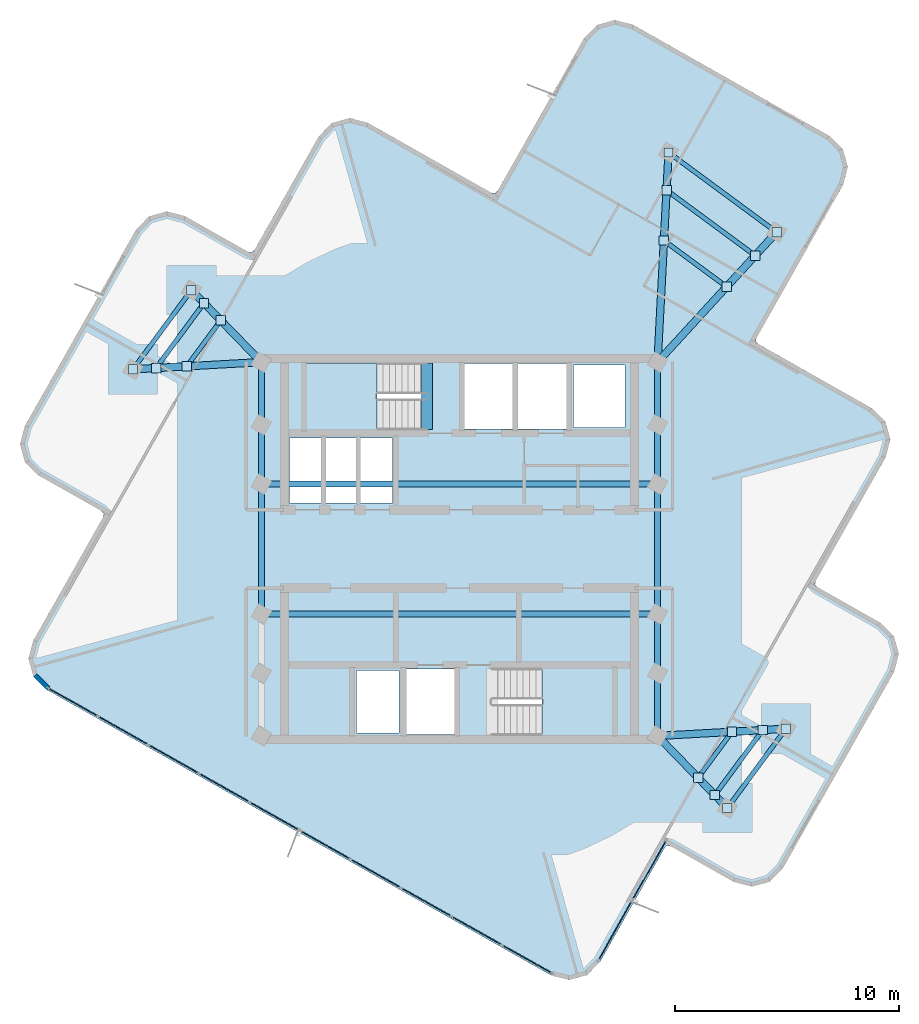
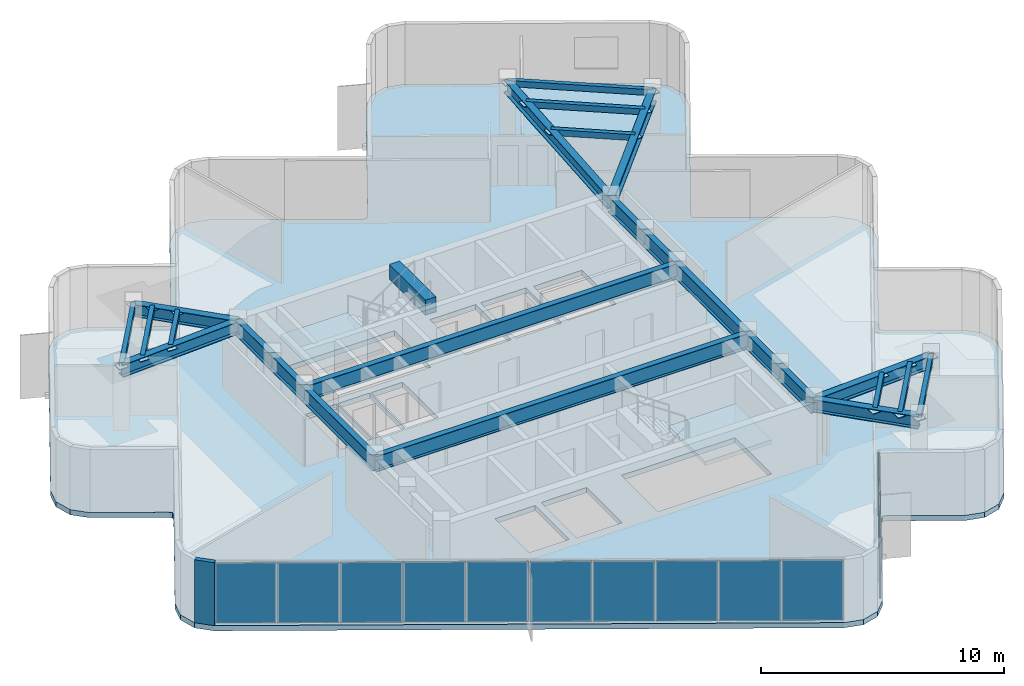
# One storey, part 3 of 9: 30 plates, 26 beams, 3 slabs, 1 wall, 4 elements without a shape of their own.
"""IFC4 building model written with IfcOpenShell, lengths in metres."""

from ifc_helpers import new_model, si_unit, direction, frame, frame_2d, origin, origin_2d, place, context, subcontext, project, spatial, polyline, rectangle, hollow_rectangle, i_section, outline, extrude, material, layer, layer_set, material_profile, profile_set, type_object, element, aggregate, save


model = new_model("IFC4")

# Units and contexts
model_context = context("Model", 3, precision=1e-05, world=origin(), true_north=direction((0.0, 1.0)))
body_context = subcontext(model_context, "Body", "Model", "MODEL_VIEW")
ifc_project = project(units=[si_unit("LENGTHUNIT", "METRE"), si_unit("AREAUNIT", "SQUARE_METRE"), si_unit("VOLUMEUNIT", "CUBIC_METRE"), si_unit("PLANEANGLEUNIT", "RADIAN"), si_unit("MASSUNIT", "GRAM", prefix="KILO")], contexts=[model_context])

# Site, building, storey
site_placement = place(None, origin())
site = spatial("IfcSite", under=ifc_project, at=site_placement, CompositionType="ELEMENT")
building_placement = place(site_placement, origin())
building = spatial("IfcBuilding", under=site, at=building_placement, Name="Solmarez Civic Tower", CompositionType="ELEMENT")
storey_placement = place(building_placement, frame((0.0, 0.0, 278.280029296875)))
storey = spatial("IfcBuildingStorey", under=building, at=storey_placement, Name="L75", CompositionType="ELEMENT", Elevation=278.280029296875)

# Beams
ifc_material_1 = material(Name="Steel S355", Category="steel")
ifc_material_profile_1 = material_profile(ifc_material_1, hollow_rectangle(XDim=0.199951171875, YDim=0.300048828125, WallThickness=0.011962890625, at=origin_2d()), Name="HSS300X200X12")
ifc_profile_set_1 = profile_set([ifc_material_profile_1], Name="Steel S355")
beam_type_1 = type_object("IfcBeamType", Name="BM-JS-HSS300X200", PredefinedType="JOIST", material=ifc_profile_set_1)
beam_1_placement = place(storey_placement, frame((14.1689453125, 14.152099609375, 3.010009765625), z_axis=(-0.804687480311, 0.593698626434, 0.0), x_axis=(-0.593698626434, -0.804687480311, 0.0)))
element("IfcBeam", 1, at=beam_1_placement, inside=storey, type_object=beam_type_1, Name="L75 Secondary Floor Joist BM-L75-EA-T1", PredefinedType="JOIST", context=body_context, shape_type="SweptSolid", body=[
    extrude(hollow_rectangle(XDim=0.199951171875, YDim=0.300048828125, WallThickness=0.011962890625, at=origin_2d()), origin(), (0.0, 0.0, 1.0), 5.999755859375),
])
beam_2_placement = place(storey_placement, frame((11.93505859375, 11.715087890625, 3.010009765625), z_axis=(-0.8046818189, 0.593706299724, 0.0), x_axis=(-0.593706299724, -0.8046818189, 0.0)))
element("IfcBeam", 2, at=beam_2_placement, inside=storey, type_object=beam_type_1, Name="L75 Secondary Floor Joist JS-L75-EA-M11", PredefinedType="JOIST", context=body_context, shape_type="SweptSolid", body=[
    extrude(hollow_rectangle(XDim=0.199951171875, YDim=0.300048828125, WallThickness=0.011962890625, at=origin_2d()), origin(), (0.0, 0.0, 1.0), 3.479736328125),
])
beam_3_placement = place(storey_placement, frame((13.2119140625, 13.10791015625, 3.010009765625), z_axis=(-0.804762606031, 0.593596789019, 0.0), x_axis=(-0.593596789019, -0.804762606031, 0.0)))
element("IfcBeam", 3, at=beam_3_placement, inside=storey, type_object=beam_type_1, Name="L75 Secondary Floor Joist JS-L75-EA-M12", PredefinedType="JOIST", context=body_context, shape_type="SweptSolid", body=[
    extrude(hollow_rectangle(XDim=0.199951171875, YDim=0.300048828125, WallThickness=0.011962890625, at=origin_2d()), origin(), (0.0, 0.0, 1.0), 4.91943359375),
])
beam_4_placement = place(storey_placement, frame((-11.970947265625, 11.56591796875, 3.010009765625), z_axis=(-0.593730834471, -0.804663716219, 0.0), x_axis=(0.804663716219, -0.593730834471, 0.0)))
element("IfcBeam", 4, at=beam_4_placement, inside=storey, type_object=beam_type_1, Name="L75 Secondary Floor Joist BM-L75-NA-T1", PredefinedType="JOIST", context=body_context, shape_type="SweptSolid", body=[
    extrude(hollow_rectangle(XDim=0.199951171875, YDim=0.300048828125, WallThickness=0.011962890625, at=origin_2d()), origin(), (0.0, 0.0, 1.0), 4.3994140625),
])
beam_5_placement = place(storey_placement, frame((-10.659912109375, 10.215087890625, 3.010009765625), z_axis=(-0.593812477683, -0.804603468392, 0.0), x_axis=(0.804603468392, -0.593812477683, 0.0)))
element("IfcBeam", 5, at=beam_5_placement, inside=storey, type_object=beam_type_1, Name="L75 Secondary Floor Joist JS-L75-NA-M11", PredefinedType="JOIST", context=body_context, shape_type="SweptSolid", body=[
    extrude(hollow_rectangle(XDim=0.199951171875, YDim=0.300048828125, WallThickness=0.011962890625, at=origin_2d()), origin(), (0.0, 0.0, 1.0), 2.551513671875),
])
beam_6_placement = place(storey_placement, frame((-11.408935546875, 10.987060546875, 3.010009765625), z_axis=(-0.593734433343, -0.804661060735, 0.0), x_axis=(0.804661060735, -0.593734433343, 0.0)))
element("IfcBeam", 6, at=beam_6_placement, inside=storey, type_object=beam_type_1, Name="L75 Secondary Floor Joist JS-L75-NA-M12", PredefinedType="JOIST", context=body_context, shape_type="SweptSolid", body=[
    extrude(hollow_rectangle(XDim=0.199951171875, YDim=0.300048828125, WallThickness=0.011962890625, at=origin_2d()), origin(), (0.0, 0.0, 1.0), 3.60791015625),
])
beam_7_placement = place(storey_placement, frame((11.970947265625, -11.56591796875, 3.010009765625), z_axis=(0.593730834471, 0.804663716219, 0.0), x_axis=(-0.804663716219, 0.593730834471, 0.0)))
element("IfcBeam", 7, at=beam_7_placement, inside=storey, type_object=beam_type_1, Name="L75 Secondary Floor Joist BM-L75-SA-T1", PredefinedType="JOIST", context=body_context, shape_type="SweptSolid", body=[
    extrude(hollow_rectangle(XDim=0.199951171875, YDim=0.300048828125, WallThickness=0.011962890625, at=origin_2d()), origin(), (0.0, 0.0, 1.0), 4.3994140625),
])
beam_8_placement = place(storey_placement, frame((10.659912109375, -10.215087890625, 3.010009765625), z_axis=(0.593812477683, 0.804603468392, 0.0), x_axis=(-0.804603468392, 0.593812477683, 0.0)))
element("IfcBeam", 8, at=beam_8_placement, inside=storey, type_object=beam_type_1, Name="L75 Secondary Floor Joist JS-L75-SA-M11", PredefinedType="JOIST", context=body_context, shape_type="SweptSolid", body=[
    extrude(hollow_rectangle(XDim=0.199951171875, YDim=0.300048828125, WallThickness=0.011962890625, at=origin_2d()), origin(), (0.0, 0.0, 1.0), 2.551513671875),
])
beam_9_placement = place(storey_placement, frame((11.408935546875, -10.987060546875, 3.010009765625), z_axis=(0.593734433343, 0.804661060735, 0.0), x_axis=(-0.804661060735, 0.593734433343, 0.0)))
element("IfcBeam", 9, at=beam_9_placement, inside=storey, type_object=beam_type_1, Name="L75 Secondary Floor Joist JS-L75-SA-M12", PredefinedType="JOIST", context=body_context, shape_type="SweptSolid", body=[
    extrude(hollow_rectangle(XDim=0.199951171875, YDim=0.300048828125, WallThickness=0.011962890625, at=origin_2d()), origin(), (0.0, 0.0, 1.0), 3.60791015625),
])
ifc_material_2 = material(Name="Concrete C50/60", Category="concrete")
ifc_material_profile_2 = material_profile(ifc_material_2, rectangle(XDim=0.5, YDim=0.75, at=origin_2d()), Name="RC500X750")
ifc_profile_set_2 = profile_set([ifc_material_profile_2], Name="Concrete C50/60")
beam_type_2 = type_object("IfcBeamType", Name="BM-PR-RC500X750", PredefinedType="BEAM", material=ifc_profile_set_2)
beam_10_placement = place(storey_placement, frame((-1.449951171875, 5.340087890625, 3.052978515625), z_axis=(0.0, 1.0, 0.0), x_axis=(-1.0, 0.0, 0.0)))
element("IfcBeam", 10, at=beam_10_placement, inside=storey, type_object=beam_type_2, Name="L75 North Stair Threshold Beam", PredefinedType="BEAM", context=body_context, shape_type="SweptSolid", body=[
    extrude(rectangle(XDim=0.5, YDim=0.75, at=origin_2d()), origin(), (0.0, 0.0, 1.0), 2.9599609375),
])
ifc_material_profile_3 = material_profile(ifc_material_1, i_section(OverallWidth=0.327880859375, OverallDepth=0.6220703125, WebThickness=0.015380859375, FlangeThickness=0.0244140625, at=origin_2d()), Name="W24X131")
ifc_profile_set_3 = profile_set([ifc_material_profile_3], Name="Steel S355")
beam_type_3 = type_object("IfcBeamType", Name="BM-PR-W24X131", PredefinedType="BEAM", material=ifc_profile_set_3)
beam_11_placement = place(storey_placement, frame((8.85009765625, 8.35009765625, 2.848876953125), z_axis=(0.67574850583, 0.737132251953, 0.0), x_axis=(-0.737132251953, 0.67574850583, 0.0)))
element("IfcBeam", 11, at=beam_11_placement, inside=storey, type_object=beam_type_3, Name="L75 Primary Floor Beam BM-L75-EA-R1A", PredefinedType="BEAM", context=body_context, shape_type="SweptSolid", body=[
    extrude(i_section(OverallWidth=0.327880859375, OverallDepth=0.6220703125, WebThickness=0.015380859375, FlangeThickness=0.0244140625, at=origin_2d()), origin(), (0.0, 0.0, 1.0), 7.87109375),
])
beam_12_placement = place(storey_placement, frame((8.85009765625, 8.35009765625, 2.848876953125), z_axis=(0.052359315135, 0.998628310293, 0.0), x_axis=(-0.998628310293, 0.052359315135, 0.0)))
element("IfcBeam", 12, at=beam_12_placement, inside=storey, type_object=beam_type_3, Name="L75 Primary Floor Beam BM-L75-EA-R1B", PredefinedType="BEAM", context=body_context, shape_type="SweptSolid", body=[
    extrude(i_section(OverallWidth=0.327880859375, OverallDepth=0.6220703125, WebThickness=0.015380859375, FlangeThickness=0.0244140625, at=origin_2d()), origin(), (0.0, 0.0, 1.0), 9.376953125),
])
beam_13_placement = place(storey_placement, frame((-8.85009765625, 8.35009765625, 2.848876953125), z_axis=(-0.696430820305, 0.717623935309, 0.0), x_axis=(-0.717623935309, -0.696430820305, 0.0)))
element("IfcBeam", 13, at=beam_13_placement, inside=storey, type_object=beam_type_3, Name="L75 Primary Floor Beam BM-L75-NA-R1A", PredefinedType="BEAM", context=body_context, shape_type="SweptSolid", body=[
    extrude(i_section(OverallWidth=0.327880859375, OverallDepth=0.6220703125, WebThickness=0.015380859375, FlangeThickness=0.0244140625, at=origin_2d()), origin(), (0.0, 0.0, 1.0), 4.481201171875),
])
beam_14_placement = place(storey_placement, frame((-8.85009765625, 8.35009765625, 2.848876953125), z_axis=(-0.998404650863, -0.056463732917, 0.0), x_axis=(0.056463732917, -0.998404650863, 0.0)))
element("IfcBeam", 14, at=beam_14_placement, inside=storey, type_object=beam_type_3, Name="L75 Primary Floor Beam BM-L75-NA-R1B", PredefinedType="BEAM", context=body_context, shape_type="SweptSolid", body=[
    extrude(i_section(OverallWidth=0.327880859375, OverallDepth=0.6220703125, WebThickness=0.015380859375, FlangeThickness=0.0244140625, at=origin_2d()), origin(), (0.0, 0.0, 1.0), 5.7421875),
])
beam_15_placement = place(storey_placement, frame((8.85009765625, -8.35009765625, 2.848876953125), z_axis=(0.696430820305, -0.717623935309, 0.0), x_axis=(0.717623935309, 0.696430820305, 0.0)))
element("IfcBeam", 15, at=beam_15_placement, inside=storey, type_object=beam_type_3, Name="L75 Primary Floor Beam BM-L75-SA-R1A", PredefinedType="BEAM", context=body_context, shape_type="SweptSolid", body=[
    extrude(i_section(OverallWidth=0.327880859375, OverallDepth=0.6220703125, WebThickness=0.015380859375, FlangeThickness=0.0244140625, at=origin_2d()), origin(), (0.0, 0.0, 1.0), 4.481201171875),
])
beam_16_placement = place(storey_placement, frame((8.85009765625, -8.35009765625, 2.848876953125), z_axis=(0.998404650863, 0.056463732917, 0.0), x_axis=(-0.056463732917, 0.998404650863, 0.0)))
element("IfcBeam", 16, at=beam_16_placement, inside=storey, type_object=beam_type_3, Name="L75 Primary Floor Beam BM-L75-SA-R1B", PredefinedType="BEAM", context=body_context, shape_type="SweptSolid", body=[
    extrude(i_section(OverallWidth=0.327880859375, OverallDepth=0.6220703125, WebThickness=0.015380859375, FlangeThickness=0.0244140625, at=origin_2d()), origin(), (0.0, 0.0, 1.0), 5.7421875),
])
ifc_material_profile_4 = material_profile(ifc_material_1, i_section(OverallWidth=0.26708984375, OverallDepth=0.761962890625, WebThickness=0.014404296875, FlangeThickness=0.021484375, at=origin_2d()), Name="W30X116")
ifc_profile_set_4 = profile_set([ifc_material_profile_4], Name="Steel S355")
beam_type_4 = type_object("IfcBeamType", Name="BM-PR-W30X116", PredefinedType="BEAM", material=ifc_profile_set_4)
beam_17_placement = place(storey_placement, frame((-8.85009765625, -2.89990234375, 2.779052734375), z_axis=(0.0, 1.0, 0.0), x_axis=(-1.0, 0.0, 0.0)))
element("IfcBeam", 17, at=beam_17_placement, inside=storey, type_object=beam_type_4, Name="L75 Primary Floor Beam BM-L75-HC2-HC3", PredefinedType="BEAM", context=body_context, shape_type="SweptSolid", body=[
    extrude(i_section(OverallWidth=0.26708984375, OverallDepth=0.761962890625, WebThickness=0.014404296875, FlangeThickness=0.021484375, at=origin_2d()), origin(), (0.0, 0.0, 1.0), 5.7998046875),
])
beam_18_placement = place(storey_placement, frame((-8.85009765625, 2.89990234375, 2.779052734375), z_axis=(0.0, 1.0, 0.0), x_axis=(-1.0, 0.0, 0.0)))
element("IfcBeam", 18, at=beam_18_placement, inside=storey, type_object=beam_type_4, Name="L75 Primary Floor Beam BM-L75-HC3-HC4", PredefinedType="BEAM", context=body_context, shape_type="SweptSolid", body=[
    extrude(i_section(OverallWidth=0.26708984375, OverallDepth=0.761962890625, WebThickness=0.014404296875, FlangeThickness=0.021484375, at=origin_2d()), origin(), (0.0, 0.0, 1.0), 2.650146484375),
])
for number, where, z_axis, x_axis, name in (
    (19, (-8.85009765625, 5.550048828125, 2.779052734375), (0.0, 1.0, 0.0), (-1.0, 0.0, 0.0), "L75 Primary Floor Beam BM-L75-HC4-HC9"),
    (20, (8.85009765625, -8.35009765625, 2.779052734375), (0.0, 1.0, 0.0), (-1.0, 0.0, 0.0), "L75 Primary Floor Beam BM-L75-HC10-HC5"),
):
    element("IfcBeam", number, at=place(storey_placement, frame(where, z_axis=z_axis, x_axis=x_axis)), inside=storey, type_object=beam_type_4, Name=name, PredefinedType="BEAM", context=body_context, shape_type="SweptSolid", body=[
        extrude(i_section(OverallWidth=0.26708984375, OverallDepth=0.761962890625, WebThickness=0.014404296875, FlangeThickness=0.021484375, at=origin_2d()), origin(), (0.0, 0.0, 1.0), 2.800048828125),
    ])
beam_19_placement = place(storey_placement, frame((8.85009765625, -5.550048828125, 2.779052734375), z_axis=(0.0, 1.0, 0.0), x_axis=(-1.0, 0.0, 0.0)))
element("IfcBeam", 21, at=beam_19_placement, inside=storey, type_object=beam_type_4, Name="L75 Primary Floor Beam BM-L75-HC5-HC6", PredefinedType="BEAM", context=body_context, shape_type="SweptSolid", body=[
    extrude(i_section(OverallWidth=0.26708984375, OverallDepth=0.761962890625, WebThickness=0.014404296875, FlangeThickness=0.021484375, at=origin_2d()), origin(), (0.0, 0.0, 1.0), 2.650146484375),
])
beam_20_placement = place(storey_placement, frame((8.85009765625, -2.89990234375, 2.779052734375), z_axis=(0.0, 1.0, 0.0), x_axis=(-1.0, 0.0, 0.0)))
element("IfcBeam", 22, at=beam_20_placement, inside=storey, type_object=beam_type_4, Name="L75 Primary Floor Beam BM-L75-HC6-HC7", PredefinedType="BEAM", context=body_context, shape_type="SweptSolid", body=[
    extrude(i_section(OverallWidth=0.26708984375, OverallDepth=0.761962890625, WebThickness=0.014404296875, FlangeThickness=0.021484375, at=origin_2d()), origin(), (0.0, 0.0, 1.0), 5.7998046875),
])
beam_21_placement = place(storey_placement, frame((8.85009765625, 2.89990234375, 2.779052734375), z_axis=(0.0, 1.0, 0.0), x_axis=(-1.0, 0.0, 0.0)))
element("IfcBeam", 23, at=beam_21_placement, inside=storey, type_object=beam_type_4, Name="L75 Primary Floor Beam BM-L75-HC7-HC8", PredefinedType="BEAM", context=body_context, shape_type="SweptSolid", body=[
    extrude(i_section(OverallWidth=0.26708984375, OverallDepth=0.761962890625, WebThickness=0.014404296875, FlangeThickness=0.021484375, at=origin_2d()), origin(), (0.0, 0.0, 1.0), 2.650146484375),
])
beam_22_placement = place(storey_placement, frame((8.85009765625, 5.550048828125, 2.779052734375), z_axis=(0.0, 1.0, 0.0), x_axis=(-1.0, 0.0, 0.0)))
element("IfcBeam", 24, at=beam_22_placement, inside=storey, type_object=beam_type_4, Name="L75 Primary Floor Beam BM-L75-HC8-HC11", PredefinedType="BEAM", context=body_context, shape_type="SweptSolid", body=[
    extrude(i_section(OverallWidth=0.26708984375, OverallDepth=0.761962890625, WebThickness=0.014404296875, FlangeThickness=0.021484375, at=origin_2d()), origin(), (0.0, 0.0, 1.0), 2.800048828125),
])
for number, where, z_axis, x_axis, name in (
    (25, (-8.85009765625, -2.89990234375, 2.779052734375), (1.0, 0.0, 0.0), (0.0, 1.0, 0.0), "L75 Primary Floor Beam BM-L75-HC2-HC6"),
    (26, (-8.85009765625, 2.89990234375, 2.779052734375), (1.0, 0.0, 0.0), (0.0, 1.0, 0.0), "L75 Primary Floor Beam BM-L75-HC3-HC7"),
):
    element("IfcBeam", number, at=place(storey_placement, frame(where, z_axis=z_axis, x_axis=x_axis)), inside=storey, type_object=beam_type_4, Name=name, PredefinedType="BEAM", context=body_context, shape_type="SweptSolid", body=[
        extrude(i_section(OverallWidth=0.26708984375, OverallDepth=0.761962890625, WebThickness=0.014404296875, FlangeThickness=0.021484375, at=origin_2d()), origin(), (0.0, 0.0, 1.0), 17.7001953125),
    ])

# Curtain wall, plates
ifc_material_3 = material(Name="Bronze Anodised Aluminium EN AW-6063 T6", Category="aluminium")
ifc_layer_1 = layer(ifc_material_3, 0.1650390625)
ifc_layer_set_1 = layer_set([ifc_layer_1], Name="Bronze Anodised Aluminium EN AW-6063 T6")
curtain_wall_type = type_object("IfcCurtainWallType", Name="CW-SYS-4", PredefinedType="NOTDEFINED", material=ifc_layer_set_1)
curtain_wall_1_placement = place(storey_placement, origin())
curtain_wall_1 = element("IfcCurtainWall", 27, at=curtain_wall_1_placement, inside=storey, type_object=curtain_wall_type, Name="L75 Stick-Built Curtain Wall 1", PredefinedType="NOTDEFINED")
ifc_material_4 = material(Name="Solar Control Low-E Laminated Vision Glass", Category="glass")
ifc_layer_2 = layer(ifc_material_4, 0.0400390625)
ifc_layer_set_2 = layer_set([ifc_layer_2], Name="Solar Control Low-E Laminated Vision Glass")
plate_type_1 = type_object("IfcPlateType", Name="CWP-GLAZ-40", PredefinedType="CURTAIN_PANEL", material=ifc_layer_set_2)
plate_1_placement = place(storey_placement, frame((8.486083984375, -14.3388671875, 0.070068359375), z_axis=(0.0, 0.0, 1.0), x_axis=(-0.492579901581, -0.870267223649, 0.0)))
plate_1 = element("IfcPlate", 28, at=plate_1_placement, type_object=plate_type_1, Name="CWS4 panel 1.1", PredefinedType="CURTAIN_PANEL", context=body_context, shape_type="SweptSolid", body=[
    extrude(rectangle(XDim=3.0302734375, YDim=0.0400390625, at=origin_2d()), origin(), (0.0, 0.0, 1.0), 3.02001953125),
])
plate_2_placement = place(storey_placement, frame((6.9638671875, -17.028076171875, 0.070068359375), z_axis=(0.0, 0.0, 1.0), x_axis=(-0.492579901581, -0.870267223649, 0.0)))
plate_2 = element("IfcPlate", 29, at=plate_2_placement, type_object=plate_type_1, Name="CWS4 panel 2.1", PredefinedType="CURTAIN_PANEL", context=body_context, shape_type="SweptSolid", body=[
    extrude(rectangle(XDim=3.0302734375, YDim=0.0400390625, at=origin_2d()), origin(), (0.0, 0.0, 1.0), 3.02001953125),
])
aggregate(curtain_wall_1, [plate_1, plate_2])

curtain_wall_2_placement = place(storey_placement, origin())
curtain_wall_2 = element("IfcCurtainWall", 30, at=curtain_wall_2_placement, inside=storey, type_object=curtain_wall_type, Name="L75 Stick-Built Curtain Wall 2", PredefinedType="NOTDEFINED")
plate_3_placement = place(storey_placement, frame((3.01904296875, -18.31396484375, 0.070068359375), z_axis=(0.0, 0.0, 1.0), x_axis=(-0.870211297808, 0.49267869567, 0.0)))
plate_3 = element("IfcPlate", 31, at=plate_3_placement, type_object=plate_type_1, Name="CWS4 panel 1.1", PredefinedType="CURTAIN_PANEL", context=body_context, shape_type="SweptSolid", body=[
    extrude(rectangle(XDim=2.50244140625, YDim=0.0400390625, at=origin_2d()), origin(), (0.0, 0.0, 1.0), 3.02001953125),
])
plate_4_placement = place(storey_placement, frame((0.776123046875, -17.044189453125, 0.070068359375), z_axis=(0.0, 0.0, 1.0), x_axis=(-0.870211297808, 0.49267869567, 0.0)))
plate_4 = element("IfcPlate", 32, at=plate_4_placement, type_object=plate_type_1, Name="CWS4 panel 2.1", PredefinedType="CURTAIN_PANEL", context=body_context, shape_type="SweptSolid", body=[
    extrude(rectangle(XDim=2.532470703125, YDim=0.0400390625, at=origin_2d()), origin(), (0.0, 0.0, 1.0), 3.02001953125),
])
plate_5_placement = place(storey_placement, frame((-1.479736328125, -15.76708984375, 0.070068359375), z_axis=(0.0, 0.0, 1.0), x_axis=(-0.870211297808, 0.49267869567, 0.0)))
plate_5 = element("IfcPlate", 33, at=plate_5_placement, type_object=plate_type_1, Name="CWS4 panel 3.1", PredefinedType="CURTAIN_PANEL", context=body_context, shape_type="SweptSolid", body=[
    extrude(rectangle(XDim=2.532470703125, YDim=0.0400390625, at=origin_2d()), origin(), (0.0, 0.0, 1.0), 3.02001953125),
])
plate_6_placement = place(storey_placement, frame((-3.735595703125, -14.48974609375, 0.070068359375), z_axis=(0.0, 0.0, 1.0), x_axis=(-0.870211297808, 0.49267869567, 0.0)))
plate_6 = element("IfcPlate", 34, at=plate_6_placement, type_object=plate_type_1, Name="CWS4 panel 4.1", PredefinedType="CURTAIN_PANEL", context=body_context, shape_type="SweptSolid", body=[
    extrude(rectangle(XDim=2.532470703125, YDim=0.0400390625, at=origin_2d()), origin(), (0.0, 0.0, 1.0), 3.02001953125),
])
plate_7_placement = place(storey_placement, frame((-5.991455078125, -13.212646484375, 0.070068359375), z_axis=(0.0, 0.0, 1.0), x_axis=(-0.870211297808, 0.49267869567, 0.0)))
plate_7 = element("IfcPlate", 35, at=plate_7_placement, type_object=plate_type_1, Name="CWS4 panel 5.1", PredefinedType="CURTAIN_PANEL", context=body_context, shape_type="SweptSolid", body=[
    extrude(rectangle(XDim=2.532470703125, YDim=0.0400390625, at=origin_2d()), origin(), (0.0, 0.0, 1.0), 3.02001953125),
])
plate_8_placement = place(storey_placement, frame((-8.24755859375, -11.935302734375, 0.070068359375), z_axis=(0.0, 0.0, 1.0), x_axis=(-0.870211297808, 0.49267869567, 0.0)))
plate_8 = element("IfcPlate", 36, at=plate_8_placement, type_object=plate_type_1, Name="CWS4 panel 6.1", PredefinedType="CURTAIN_PANEL", context=body_context, shape_type="SweptSolid", body=[
    extrude(rectangle(XDim=2.532470703125, YDim=0.0400390625, at=origin_2d()), origin(), (0.0, 0.0, 1.0), 3.02001953125),
])
plate_9_placement = place(storey_placement, frame((-10.50341796875, -10.658203125, 0.070068359375), z_axis=(0.0, 0.0, 1.0), x_axis=(-0.870211297808, 0.49267869567, 0.0)))
plate_9 = element("IfcPlate", 37, at=plate_9_placement, type_object=plate_type_1, Name="CWS4 panel 7.1", PredefinedType="CURTAIN_PANEL", context=body_context, shape_type="SweptSolid", body=[
    extrude(rectangle(XDim=2.532470703125, YDim=0.0400390625, at=origin_2d()), origin(), (0.0, 0.0, 1.0), 3.02001953125),
])
plate_10_placement = place(storey_placement, frame((-12.75927734375, -9.381103515625, 0.070068359375), z_axis=(0.0, 0.0, 1.0), x_axis=(-0.870211297808, 0.49267869567, 0.0)))
plate_10 = element("IfcPlate", 38, at=plate_10_placement, type_object=plate_type_1, Name="CWS4 panel 8.1", PredefinedType="CURTAIN_PANEL", context=body_context, shape_type="SweptSolid", body=[
    extrude(rectangle(XDim=2.532470703125, YDim=0.0400390625, at=origin_2d()), origin(), (0.0, 0.0, 1.0), 3.02001953125),
])
plate_11_placement = place(storey_placement, frame((-15.01513671875, -8.103759765625, 0.070068359375), z_axis=(0.0, 0.0, 1.0), x_axis=(-0.870211297808, 0.49267869567, 0.0)))
plate_11 = element("IfcPlate", 39, at=plate_11_placement, type_object=plate_type_1, Name="CWS4 panel 9.1", PredefinedType="CURTAIN_PANEL", context=body_context, shape_type="SweptSolid", body=[
    extrude(rectangle(XDim=2.532470703125, YDim=0.0400390625, at=origin_2d()), origin(), (0.0, 0.0, 1.0), 3.02001953125),
])
plate_12_placement = place(storey_placement, frame((-17.258056640625, -6.833984375, 0.070068359375), z_axis=(0.0, 0.0, 1.0), x_axis=(-0.870211297808, 0.49267869567, 0.0)))
plate_12 = element("IfcPlate", 40, at=plate_12_placement, type_object=plate_type_1, Name="CWS4 panel 10.1", PredefinedType="CURTAIN_PANEL", context=body_context, shape_type="SweptSolid", body=[
    extrude(rectangle(XDim=2.50244140625, YDim=0.0400390625, at=origin_2d()), origin(), (0.0, 0.0, 1.0), 3.02001953125),
])
aggregate(curtain_wall_2, [plate_3, plate_4, plate_5, plate_6, plate_7, plate_8, plate_9, plate_10, plate_11, plate_12])

# Plates
ifc_layer_3 = layer(ifc_material_1, 0.02392578125)
ifc_layer_set_3 = layer_set([ifc_layer_3], Name="Steel S355")
plate_type_2 = type_object("IfcPlateType", Name="PLT-CAP-380", PredefinedType="USERDEFINED", material=ifc_layer_set_3)
for number, where, z_axis, x_axis, name in (
    (41, (14.1689453125, 14.152099609375, 2.998046875), (0.0, 0.0, 1.0), (1.0, 0.0, 0.0), "Steel Member End Cap Plate CAP-BM-L75-EA-T1-0"),
    (42, (9.341064453125, 17.714111328125, 2.998046875), (0.0, 0.0, 1.0), (1.0, 0.0, 0.0), "Steel Member End Cap Plate CAP-BM-L75-EA-T1-1"),
    (43, (11.93505859375, 11.715087890625, 2.998046875), (0.0, 0.0, 1.0), (1.0, 0.0, 0.0), "Steel Member End Cap Plate CAP-JS-L75-EA-M11-0"),
    (44, (9.135009765625, 13.781005859375, 2.998046875), (0.0, 0.0, 1.0), (1.0, 0.0, 0.0), "Steel Member End Cap Plate CAP-JS-L75-EA-M11-1"),
    (45, (13.2119140625, 13.10791015625, 2.998046875), (0.0, 0.0, 1.0), (1.0, 0.0, 0.0), "Steel Member End Cap Plate CAP-JS-L75-EA-M12-0"),
    (46, (9.2529296875, 16.028076171875, 2.998046875), (0.0, 0.0, 1.0), (1.0, 0.0, 0.0), "Steel Member End Cap Plate CAP-JS-L75-EA-M12-1"),
    (47, (-11.970947265625, 11.56591796875, 2.998046875), (0.0, 0.0, 1.0), (1.0, 0.0, 0.0), "Steel Member End Cap Plate CAP-BM-L75-NA-T1-0"),
    (48, (-14.5830078125, 8.02587890625, 2.998046875), (0.0, 0.0, 1.0), (1.0, 0.0, 0.0), "Steel Member End Cap Plate CAP-BM-L75-NA-T1-1"),
    (49, (-10.659912109375, 10.215087890625, 2.998046875), (0.0, 0.0, 1.0), (1.0, 0.0, 0.0), "Steel Member End Cap Plate CAP-JS-L75-NA-M11-0"),
    (50, (-12.175048828125, 8.162109375, 2.998046875), (0.0, 0.0, 1.0), (1.0, 0.0, 0.0), "Steel Member End Cap Plate CAP-JS-L75-NA-M11-1"),
    (51, (-11.408935546875, 10.987060546875, 2.998046875), (0.0, 0.0, 1.0), (1.0, 0.0, 0.0), "Steel Member End Cap Plate CAP-JS-L75-NA-M12-0"),
    (52, (-13.551025390625, 8.083984375, 2.998046875), (0.0, 0.0, 1.0), (1.0, 0.0, 0.0), "Steel Member End Cap Plate CAP-JS-L75-NA-M12-1"),
    (53, (11.970947265625, -11.56591796875, 2.998046875), (0.0, 0.0, 1.0), (1.0, 0.0, 0.0), "Steel Member End Cap Plate CAP-BM-L75-SA-T1-0"),
    (54, (14.5830078125, -8.02587890625, 2.998046875), (0.0, 0.0, 1.0), (1.0, 0.0, 0.0), "Steel Member End Cap Plate CAP-BM-L75-SA-T1-1"),
    (55, (10.659912109375, -10.215087890625, 2.998046875), (0.0, 0.0, 1.0), (1.0, 0.0, 0.0), "Steel Member End Cap Plate CAP-JS-L75-SA-M11-0"),
    (56, (12.175048828125, -8.162109375, 2.998046875), (0.0, 0.0, 1.0), (1.0, 0.0, 0.0), "Steel Member End Cap Plate CAP-JS-L75-SA-M11-1"),
    (57, (11.408935546875, -10.987060546875, 2.998046875), (0.0, 0.0, 1.0), (1.0, 0.0, 0.0), "Steel Member End Cap Plate CAP-JS-L75-SA-M12-0"),
    (58, (13.551025390625, -8.083984375, 2.998046875), (0.0, 0.0, 1.0), (1.0, 0.0, 0.0), "Steel Member End Cap Plate CAP-JS-L75-SA-M12-1"),
):
    element("IfcPlate", number, at=place(storey_placement, frame(where, z_axis=z_axis, x_axis=x_axis)), inside=storey, type_object=plate_type_2, Name=name, ObjectType="CAP_PLATE", PredefinedType="USERDEFINED", context=body_context, shape_type="SweptSolid", body=[
        extrude(rectangle(XDim=0.419921875, YDim=0.419921875, at=origin_2d()), origin(), (0.0, 0.0, 1.0), 0.02392578125),
    ])

# Stair, slab
stair_type = type_object("IfcStairType", Name="STAIR-DOGLEG-140W-18R-1900", PredefinedType="HALF_TURN_STAIR", material=ifc_material_2)
stair_1_placement = place(storey_placement, origin())
stair_1 = element("IfcStair", 59, at=stair_1_placement, inside=storey, type_object=stair_type, Name="L75 North Core Protected Exit Stair ST-1", PredefinedType="HALF_TURN_STAIR")
ifc_layer_4 = layer(ifc_material_2, 0.199951171875)
ifc_layer_set_4 = layer_set([ifc_layer_4], Name="Concrete C50/60")
slab_type_1 = type_object("IfcSlabType", Name="SLAB-LANDING-200", PredefinedType="LANDING", material=ifc_layer_set_4)
slab_1_placement = place(storey_placement, frame((0.0, 0.0, 1.510009765625)))
slab_1 = element("IfcSlab", 60, at=slab_1_placement, type_object=slab_type_1, Name="ST-1 landing 1", PredefinedType="LANDING", context=body_context, shape_type="SweptSolid", body=[
    extrude(outline(polyline([(-3.68994140625, 8.320068359375), (-6.85009765625, 8.320068359375), (-6.85009765625, 5.320068359375), (-3.68994140625, 5.320068359375), (-3.68994140625, 8.320068359375)])), origin(), (0.0, 0.0, 1.0), 0.199951171875),
])
aggregate(stair_1, [slab_1])

stair_2_placement = place(storey_placement, origin())
stair_2 = element("IfcStair", 61, at=stair_2_placement, inside=storey, type_object=stair_type, Name="L75 South Core Protected Exit Stair ST-2", PredefinedType="HALF_TURN_STAIR")
slab_2_placement = place(storey_placement, frame((0.0, 0.0, 1.510009765625)))
slab_2 = element("IfcSlab", 62, at=slab_2_placement, type_object=slab_type_1, Name="ST-2 landing 1", PredefinedType="LANDING", context=body_context, shape_type="SweptSolid", body=[
    extrude(outline(polyline([(3.68994140625, -8.320068359375), (6.85009765625, -8.320068359375), (6.85009765625, -5.320068359375), (3.68994140625, -5.320068359375), (3.68994140625, -8.320068359375)])), origin(), (0.0, 0.0, 1.0), 0.199951171875),
])
aggregate(stair_2, [slab_2])

# Slab
ifc_layer_5 = layer(ifc_material_2, 0.260009765625)
ifc_layer_set_5 = layer_set([ifc_layer_5], Name="Concrete C50/60")
slab_type_2 = type_object("IfcSlabType", Name="SLAB-TOWER-260", PredefinedType="FLOOR", material=ifc_layer_set_5)
slab_3_placement = place(storey_placement, frame((0.0, 0.0, -0.260009765625)))
element("IfcSlab", 63, at=slab_3_placement, inside=storey, type_object=slab_type_2, Name="L75 Structural Slab", PredefinedType="FLOOR", context=body_context, shape_type="SweptSolid", body=[
    extrude(outline(polyline([(9.445068359375, -13.277099609375), (12.262939453125, -14.873046875), (13.06494140625, -15.0810546875), (13.863037109375, -14.860107421875), (14.444091796875, -14.26904296875), (19.4208984375, -5.48095703125), (19.6279296875, -4.678955078125), (19.406982421875, -3.881103515625), (18.81689453125, -3.300048828125), (15.998046875, -1.7041015625), (15.875, -1.5830078125), (15.91796875, -1.4169921875), (19.0419921875, 4.10009765625), (19.25, 4.90087890625), (19.029052734375, 5.699951171875), (18.43798828125, 6.280029296875), (13.35693359375, 9.157958984375), (13.23388671875, 9.278076171875), (13.277099609375, 9.445068359375), (17.139892578125, 16.26611328125), (17.347900390625, 17.068115234375), (17.126953125, 17.865966796875), (16.535888671875, 18.447021484375), (7.7470703125, 23.424072265625), (6.945068359375, 23.631103515625), (6.14697265625, 23.409912109375), (5.56591796875, 22.820068359375), (1.7041015625, 15.998046875), (1.5830078125, 15.875), (1.4169921875, 15.91796875), (-4.10009765625, 19.0419921875), (-4.90087890625, 19.25), (-5.699951171875, 19.029052734375), (-6.280029296875, 18.43798828125), (-9.157958984375, 13.35693359375), (-9.278076171875, 13.23388671875), (-9.445068359375, 13.277099609375), (-12.262939453125, 14.873046875), (-13.06494140625, 15.0810546875), (-13.863037109375, 14.860107421875), (-14.444091796875, 14.26904296875), (-19.4208984375, 5.48095703125), (-19.6279296875, 4.678955078125), (-19.406982421875, 3.881103515625), (-18.81689453125, 3.300048828125), (-15.998046875, 1.7041015625), (-15.875, 1.5830078125), (-15.91796875, 1.4169921875), (-19.0419921875, -4.10009765625), (-19.25, -4.90087890625), (-19.029052734375, -5.699951171875), (-18.43798828125, -6.280029296875), (4.10009765625, -19.0419921875), (4.90087890625, -19.25), (5.699951171875, -19.029052734375), (6.280029296875, -18.43798828125), (9.157958984375, -13.35693359375), (9.278076171875, -13.23388671875), (9.445068359375, -13.277099609375)]), holes=[polyline([(-1.449951171875, 8.320068359375), (-6.85009765625, 8.320068359375), (-6.85009765625, 5.320068359375), (-1.449951171875, 5.320068359375), (-1.449951171875, 8.320068359375)]), polyline([(1.449951171875, -8.320068359375), (6.85009765625, -8.320068359375), (6.85009765625, -5.320068359375), (1.449951171875, -5.320068359375), (1.449951171875, -8.320068359375)]), polyline([(0.219970703125, 5.360107421875), (2.3798828125, 5.360107421875), (2.3798828125, 8.280029296875), (0.219970703125, 8.280029296875), (0.219970703125, 5.360107421875)]), polyline([(2.6201171875, 5.360107421875), (4.780029296875, 5.360107421875), (4.780029296875, 8.280029296875), (2.6201171875, 8.280029296875), (2.6201171875, 5.360107421875)]), polyline([(-2.3798828125, -8.280029296875), (-0.219970703125, -8.280029296875), (-0.219970703125, -5.360107421875), (-2.3798828125, -5.360107421875), (-2.3798828125, -8.280029296875)]), polyline([(-7.60009765625, 2.06005859375), (-6.1201171875, 2.06005859375), (-6.1201171875, 4.9599609375), (-7.60009765625, 4.9599609375), (-7.60009765625, 2.06005859375)]), polyline([(-6.0400390625, 2.06005859375), (-4.56005859375, 2.06005859375), (-4.56005859375, 4.9599609375), (-6.0400390625, 4.9599609375), (-6.0400390625, 2.06005859375)]), polyline([(-4.47998046875, 2.06005859375), (-3.0, 2.06005859375), (-3.0, 4.9599609375), (-4.47998046875, 4.9599609375), (-4.47998046875, 2.06005859375)]), polyline([(5.10009765625, 5.419921875), (7.39990234375, 5.419921875), (7.39990234375, 8.219970703125), (5.10009765625, 8.219970703125), (5.10009765625, 5.419921875)]), polyline([(-4.60009765625, -8.219970703125), (-2.699951171875, -8.219970703125), (-2.699951171875, -5.419921875), (-4.60009765625, -5.419921875), (-4.60009765625, -8.219970703125)])]), origin(), (0.0, 0.0, 1.0), 0.260009765625),
])

# Wall
ifc_material_5 = material(Name="Precast concrete C40/50", Category="concrete")
ifc_layer_6 = layer(ifc_material_5, 0.199951171875)
ifc_layer_set_6 = layer_set([ifc_layer_6], Name="Precast concrete C40/50")
wall_type = type_object("IfcWallType", Name="WALL-EXT-200", PredefinedType="SOLIDWALL", material=ifc_layer_set_6)
wall_placement = place(storey_placement, frame((-18.35888671875, -6.218017578125, 0.0), z_axis=(0.0, 0.0, 1.0), x_axis=(-0.712466161804, 0.701706468749, 0.0)))
element("IfcWall", 64, at=wall_placement, inside=storey, type_object=wall_type, Name="L75 Exterior Precast Wall 7", PredefinedType="SOLIDWALL", context=body_context, shape_type="SweptSolid", body=[
    extrude(rectangle(XDim=0.839599609375, YDim=0.199951171875, at=frame_2d((0.419921875, 0.0))), origin(), (0.0, 0.0, 1.0), 3.159912109375),
])

save(model, "model.ifc")
